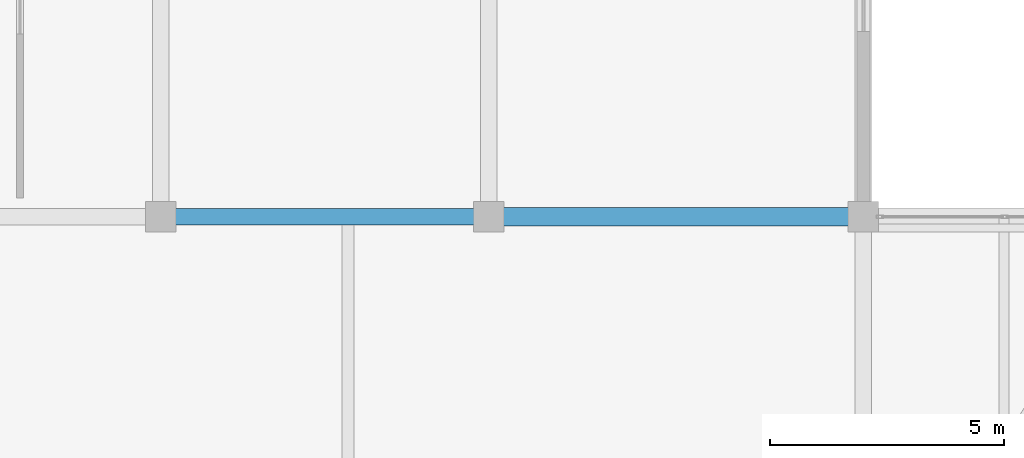
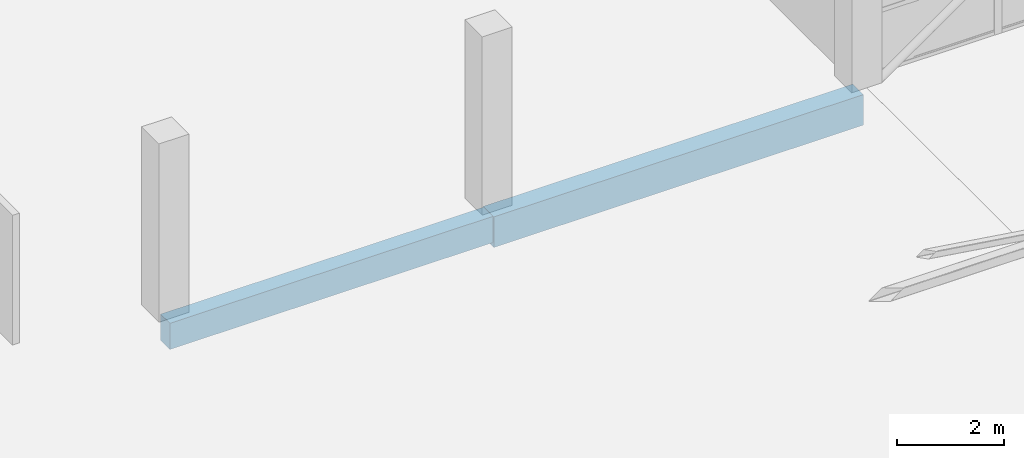
# One storey, part 33 of 66: 2 beams.
"""IFC4 building model written with IfcOpenShell, lengths in metres."""

from ifc_helpers import new_model, si_unit, direction, frame, origin, origin_2d, place, context, subcontext, project, spatial, rectangle, extrude, material, material_profile, profile_set, type_object, element, save


model = new_model("IFC4")

# Units and contexts
model_context = context("Model", 3, precision=1e-05, world=origin(), true_north=direction((0.0, 1.0)))
body_context = subcontext(model_context, "Body", "Model", "MODEL_VIEW")
ifc_project = project(units=[si_unit("LENGTHUNIT", "METRE"), si_unit("AREAUNIT", "SQUARE_METRE"), si_unit("VOLUMEUNIT", "CUBIC_METRE"), si_unit("PLANEANGLEUNIT", "RADIAN"), si_unit("MASSUNIT", "GRAM", prefix="KILO")], contexts=[model_context])

# Site, building, storey
site_placement = place(None, origin())
site = spatial("IfcSite", under=ifc_project, at=site_placement, CompositionType="ELEMENT")
building_placement = place(site_placement, origin())
building = spatial("IfcBuilding", under=site, at=building_placement, Name="Sillaruma Civic Art Gallery", CompositionType="ELEMENT")
storey_placement = place(building_placement, frame((0.0, 0.0, 62.219970703125)))
storey = spatial("IfcBuildingStorey", under=building, at=storey_placement, Name="L12", CompositionType="ELEMENT", Elevation=62.219970703125)

# Beams
ifc_material = material(Name="Concrete H35 (35 MPa)", Category="concrete")
ifc_material_profile_1 = material_profile(ifc_material, rectangle(XDim=0.35009765625, YDim=0.60009765625, at=origin_2d()), Name="RCB350x600")
ifc_profile_set_1 = profile_set([ifc_material_profile_1], Name="Concrete H35 (35 MPa)")
beam_type_1 = type_object("IfcBeamType", Name="BM-BEAM-RCB350x600", PredefinedType="BEAM", material=ifc_profile_set_1)
beam_1_placement = place(storey_placement, frame((77.0, 79.199951171875, -0.530029296875), z_axis=(1.0, 0.0, 0.0), x_axis=(0.0, 1.0, 0.0)))
element("IfcBeam", 1, at=beam_1_placement, inside=storey, type_object=beam_type_1, Name="Beam BM-06 (L11:9:H-J)", PredefinedType="BEAM", context=body_context, shape_type="SweptSolid", body=[
    extrude(rectangle(XDim=0.35009765625, YDim=0.60009765625, at=origin_2d()), origin(), (0.0, 0.0, 1.0), 7.0),
])
ifc_material_profile_2 = material_profile(ifc_material, rectangle(XDim=0.39990234375, YDim=0.699951171875, at=origin_2d()), Name="RCB400x700")
ifc_profile_set_2 = profile_set([ifc_material_profile_2], Name="Concrete H35 (35 MPa)")
beam_type_2 = type_object("IfcBeamType", Name="BM-BEAM-RCB400x700", PredefinedType="BEAM", material=ifc_profile_set_2)
beam_2_placement = place(storey_placement, frame((84.0, 79.199951171875, -0.580078125), z_axis=(1.0, 0.0, 0.0), x_axis=(0.0, 1.0, 0.0)))
element("IfcBeam", 2, at=beam_2_placement, inside=storey, type_object=beam_type_2, Name="Beam BM-04 (L11:9:J-K)", PredefinedType="BEAM", context=body_context, shape_type="SweptSolid", body=[
    extrude(rectangle(XDim=0.39990234375, YDim=0.699951171875, at=origin_2d()), origin(), (0.0, 0.0, 1.0), 8.0),
])

save(model, "model.ifc")
